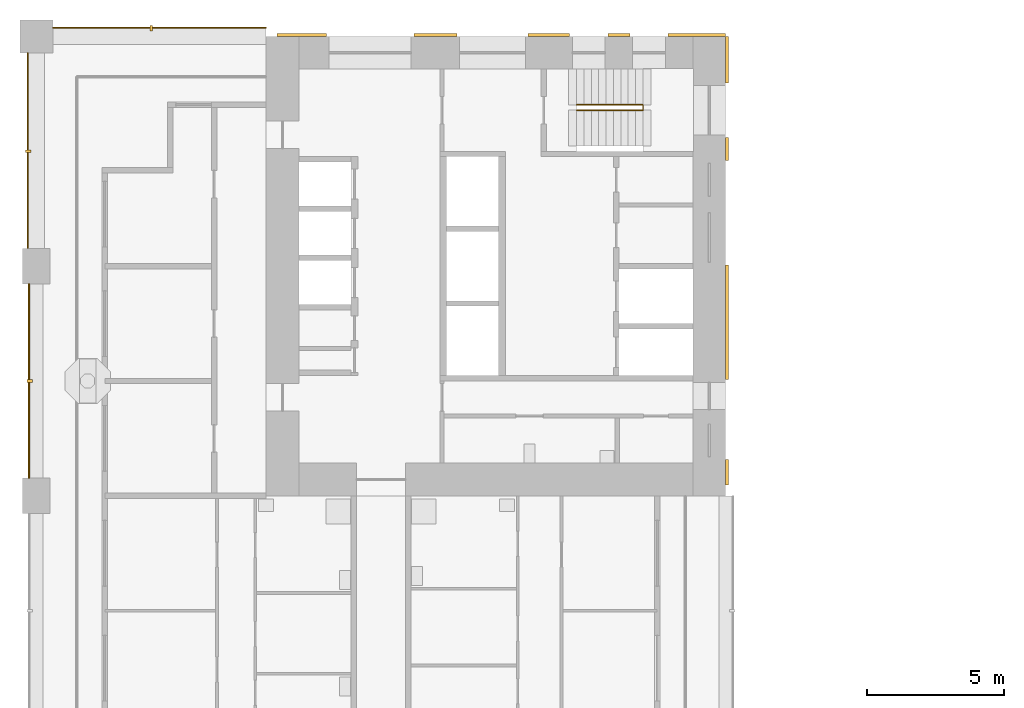
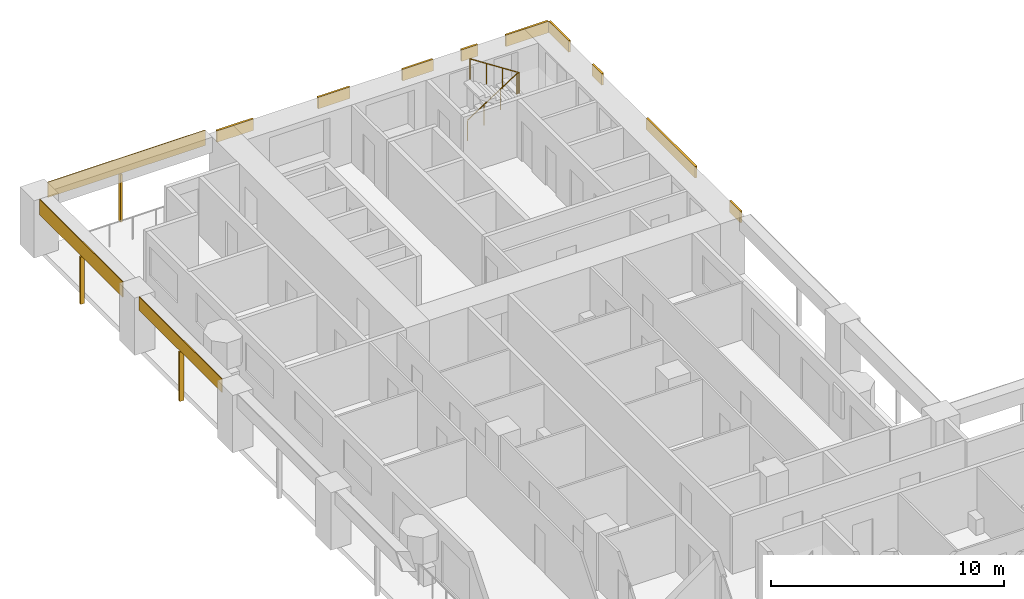
# One storey, part 14 of 18: 15 shading devices, 1 railing.
"""IFC4 building model written with IfcOpenShell, lengths in metres."""

from ifc_helpers import new_model, si_unit, direction, frame, origin, origin_2d, place, context, subcontext, project, spatial, rectangle, circle, extrude, material, layer, layer_set, material_profile, profile_set, type_object, element, save


model = new_model("IFC4")

# Units and contexts
model_context = context("Model", 3, precision=1e-05, world=origin(), true_north=direction((0.0, 1.0)))
body_context = subcontext(model_context, "Body", "Model", "MODEL_VIEW")
ifc_project = project(units=[si_unit("LENGTHUNIT", "METRE"), si_unit("AREAUNIT", "SQUARE_METRE"), si_unit("VOLUMEUNIT", "CUBIC_METRE"), si_unit("PLANEANGLEUNIT", "RADIAN"), si_unit("MASSUNIT", "GRAM", prefix="KILO")], contexts=[model_context])

# Site, building, storey
site_placement = place(None, origin())
site = spatial("IfcSite", under=ifc_project, at=site_placement, CompositionType="ELEMENT")
building_placement = place(site_placement, origin())
building = spatial("IfcBuilding", under=site, at=building_placement, Name="Vermilion Gate Residences", CompositionType="ELEMENT")
storey_placement = place(building_placement, frame((0.0, 0.0, 137.199951171875)))
storey = spatial("IfcBuildingStorey", under=building, at=storey_placement, Name="L35", CompositionType="ELEMENT", Elevation=137.199951171875)

# Shading devices
ifc_material_1 = material(Name="Perforated terracotta", Category="masonry")
ifc_layer_1 = layer(ifc_material_1, 0.0400390625)
ifc_layer_set_1 = layer_set([ifc_layer_1], Name="PERFORATED TERRACOTTA SCREEN 40")
shading_device_type_1 = type_object("IfcShadingDeviceType", Name="PERFORATED TERRACOTTA SCREEN 40", PredefinedType="SHUTTER", material=ifc_layer_set_1)
shading_device_1_placement = place(storey_placement, frame((4.5, 59.1201171875, 2.2001953125), z_axis=(0.0, 0.0, 1.0), x_axis=(-1.0, 0.0, 0.0)))
element("IfcShadingDevice", 1, at=shading_device_1_placement, inside=storey, type_object=shading_device_type_1, Name="SCREEN", PredefinedType="SHUTTER", context=body_context, shape_type="SweptSolid", body=[
    extrude(rectangle(XDim=7.800048828125, YDim=0.0400390625, at=origin_2d()), origin(), (0.0, 0.0, 1.0), 0.800048828125),
])
shading_device_2_placement = place(storey_placement, frame((-0.27001953125, 46.199951171875, 2.30029296875), z_axis=(0.0, 0.0, 1.0), x_axis=(0.0, -1.0, 0.0)))
element("IfcShadingDevice", 2, at=shading_device_2_placement, inside=storey, type_object=shading_device_type_1, Name="SCREEN", PredefinedType="SHUTTER", context=body_context, shape_type="SweptSolid", body=[
    extrude(rectangle(XDim=7.10009765625, YDim=0.0400390625, at=origin_2d()), origin(), (0.0, 0.0, 1.0), 0.699951171875),
])
shading_device_3_placement = place(storey_placement, frame((-0.320068359375, 54.625, 2.2001953125), z_axis=(0.0, 0.0, 1.0), x_axis=(0.0, -1.0, 0.0)))
element("IfcShadingDevice", 3, at=shading_device_3_placement, inside=storey, type_object=shading_device_type_1, Name="SCREEN", PredefinedType="SHUTTER", context=body_context, shape_type="SweptSolid", body=[
    extrude(rectangle(XDim=7.14990234375, YDim=0.0400390625, at=origin_2d()), origin(), (0.0, 0.0, 1.0), 0.800048828125),
])

# Railing
ifc_material_2 = material(Name="Steel S355", Category="steel")
railing_type = type_object("IfcRailingType", Name="STAIR GUARD 1100 STEEL", PredefinedType="GUARDRAIL", material=ifc_material_2)
railing_placement = place(storey_placement, frame((19.75, 56.300048828125, 0.175048828125)))
element("IfcRailing", 4, at=railing_placement, inside=storey, type_object=railing_type, Name="Stair well guard STB1-35", PredefinedType="GUARDRAIL", context=body_context, shape_type="SweptSolid", body=[
    extrude(circle(Radius=0.02392578125, at=origin_2d()), frame((0.0, 0.0, 1.076171875), z_axis=(0.839153699163, 0.0, 0.543894354798), x_axis=(0.0, 1.0, 0.0)), (0.0, 0.0, 1.0), 2.895751953125),
    extrude(circle(Radius=0.02392578125, at=origin_2d()), frame((2.429931640625, 0.0, 2.65087890625), z_axis=(0.0, -0.752405939678, 0.658699705433), x_axis=(1.0, 0.0, 0.0)), (0.0, 0.0, 1.0), 0.265869140625),
    extrude(circle(Radius=0.02392578125, at=origin_2d()), frame((2.429931640625, -0.199951171875, 2.826171875), z_axis=(-0.839153699163, 0.0, 0.543894354798), x_axis=(0.0, -1.0, 0.0)), (0.0, 0.0, 1.0), 2.895751953125),
    extrude(circle(Radius=0.02099609375, at=origin_2d()), origin(), (0.0, 0.0, 1.0), 1.052001953125),
    extrude(circle(Radius=0.02099609375, at=origin_2d()), frame((0.81005859375, 0.0, 0.52490234375)), (0.0, 0.0, 1.0), 1.052001953125),
    extrude(circle(Radius=0.02099609375, at=origin_2d()), frame((1.619873046875, 0.0, 1.050048828125)), (0.0, 0.0, 1.0), 1.052001953125),
    extrude(circle(Radius=0.02099609375, at=origin_2d()), frame((2.429931640625, 0.0, 1.574951171875)), (0.0, 0.0, 1.0), 1.052001953125),
    extrude(circle(Radius=0.02099609375, at=origin_2d()), frame((2.429931640625, -0.199951171875, 1.75)), (0.0, 0.0, 1.0), 1.052001953125),
    extrude(circle(Radius=0.02099609375, at=origin_2d()), frame((1.619873046875, -0.199951171875, 2.27490234375)), (0.0, 0.0, 1.0), 1.052001953125),
    extrude(circle(Radius=0.02099609375, at=origin_2d()), frame((0.81005859375, -0.199951171875, 2.800048828125)), (0.0, 0.0, 1.0), 1.052001953125),
    extrude(circle(Radius=0.02099609375, at=origin_2d()), frame((0.0, -0.199951171875, 3.324951171875)), (0.0, 0.0, 1.0), 1.052001953125),
])

# Shading devices
ifc_material_3 = material(Name="Extruded terracotta", Category="masonry")
ifc_material_profile = material_profile(ifc_material_3, rectangle(XDim=0.199951171875, YDim=0.10009765625, at=origin_2d()), Name="BAGUETTE 100 X 200")
ifc_profile_set = profile_set([ifc_material_profile], Name="Extruded terracotta")
shading_device_type_2 = type_object("IfcShadingDeviceType", Name="TERRACOTTA BAGUETTE 100 X 200", PredefinedType="JALOUSIE", material=ifc_profile_set)
shading_device_4_placement = place(storey_placement, frame((4.199951171875, 59.10009765625, -0.280029296875), z_axis=(0.0, 0.0, 1.0), x_axis=(0.0, -1.0, 0.0)))
element("IfcShadingDevice", 5, at=shading_device_4_placement, inside=storey, type_object=shading_device_type_2, Name="BAGUETTE", PredefinedType="JALOUSIE", context=body_context, shape_type="SweptSolid", body=[
    extrude(rectangle(XDim=0.199951171875, YDim=0.10009765625, at=origin_2d()), origin(), (0.0, 0.0, 1.0), 2.47998046875),
])
shading_device_5_placement = place(storey_placement, frame((-0.25, 46.199951171875, -0.280029296875), z_axis=(0.0, 0.0, 1.0), x_axis=(1.0, 0.0, 0.0)))
element("IfcShadingDevice", 6, at=shading_device_5_placement, inside=storey, type_object=shading_device_type_2, Name="BAGUETTE", PredefinedType="JALOUSIE", context=body_context, shape_type="SweptSolid", body=[
    extrude(rectangle(XDim=0.199951171875, YDim=0.10009765625, at=origin_2d()), origin(), (0.0, 0.0, 1.0), 2.580078125),
])
shading_device_6_placement = place(storey_placement, frame((-0.300048828125, 54.60009765625, -0.280029296875), z_axis=(0.0, 0.0, 1.0), x_axis=(1.0, 0.0, 0.0)))
element("IfcShadingDevice", 7, at=shading_device_6_placement, inside=storey, type_object=shading_device_type_2, Name="BAGUETTE", PredefinedType="JALOUSIE", context=body_context, shape_type="SweptSolid", body=[
    extrude(rectangle(XDim=0.199951171875, YDim=0.10009765625, at=origin_2d()), origin(), (0.0, 0.0, 1.0), 2.47998046875),
])
ifc_material_4 = material(Name="Extruded terracotta", Category="masonry")
ifc_layer_2 = layer(ifc_material_4, 0.10009765625)
ifc_layer_set_2 = layer_set([ifc_layer_2], Name="TERRACOTTA SPANDREL BAND 600 X 100")
shading_device_type_3 = type_object("IfcShadingDeviceType", Name="TERRACOTTA SPANDREL BAND 600 X 100", PredefinedType="USERDEFINED", material=ifc_layer_set_2)
shading_device_7_placement = place(storey_placement, frame((9.702392578125, 58.85009765625, 2.39990234375), z_axis=(0.0, 0.0, 1.0), x_axis=(1.0, 0.0, 0.0)))
element("IfcShadingDevice", 8, at=shading_device_7_placement, inside=storey, type_object=shading_device_type_3, Name="SPANDREL BAND", ObjectType="BAND", PredefinedType="USERDEFINED", context=body_context, shape_type="SweptSolid", body=[
    extrude(rectangle(XDim=1.804931640625, YDim=0.10009765625, at=origin_2d()), origin(), (0.0, 0.0, 1.0), 0.60009765625),
])
shading_device_8_placement = place(storey_placement, frame((14.590087890625, 58.85009765625, 2.39990234375), z_axis=(0.0, 0.0, 1.0), x_axis=(1.0, 0.0, 0.0)))
element("IfcShadingDevice", 9, at=shading_device_8_placement, inside=storey, type_object=shading_device_type_3, Name="SPANDREL BAND", ObjectType="BAND", PredefinedType="USERDEFINED", context=body_context, shape_type="SweptSolid", body=[
    extrude(rectangle(XDim=1.570068359375, YDim=0.10009765625, at=origin_2d()), origin(), (0.0, 0.0, 1.0), 0.60009765625),
])
shading_device_9_placement = place(storey_placement, frame((18.734130859375, 58.85009765625, 2.39990234375), z_axis=(0.0, 0.0, 1.0), x_axis=(1.0, 0.0, 0.0)))
element("IfcShadingDevice", 10, at=shading_device_9_placement, inside=storey, type_object=shading_device_type_3, Name="SPANDREL BAND", ObjectType="BAND", PredefinedType="USERDEFINED", context=body_context, shape_type="SweptSolid", body=[
    extrude(rectangle(XDim=1.518310546875, YDim=0.10009765625, at=origin_2d()), origin(), (0.0, 0.0, 1.0), 0.60009765625),
])
shading_device_10_placement = place(storey_placement, frame((21.294921875, 58.85009765625, 2.39990234375), z_axis=(0.0, 0.0, 1.0), x_axis=(1.0, 0.0, 0.0)))
element("IfcShadingDevice", 11, at=shading_device_10_placement, inside=storey, type_object=shading_device_type_3, Name="SPANDREL BAND", ObjectType="BAND", PredefinedType="USERDEFINED", context=body_context, shape_type="SweptSolid", body=[
    extrude(rectangle(XDim=0.803466796875, YDim=0.10009765625, at=origin_2d()), origin(), (0.0, 0.0, 1.0), 0.60009765625),
])
shading_device_11_placement = place(storey_placement, frame((24.1484375, 58.85009765625, 2.39990234375), z_axis=(0.0, 0.0, 1.0), x_axis=(1.0, 0.0, 0.0)))
element("IfcShadingDevice", 12, at=shading_device_11_placement, inside=storey, type_object=shading_device_type_3, Name="SPANDREL BAND", ObjectType="BAND", PredefinedType="USERDEFINED", context=body_context, shape_type="SweptSolid", body=[
    extrude(rectangle(XDim=2.103271484375, YDim=0.10009765625, at=origin_2d()), origin(), (0.0, 0.0, 1.0), 0.60009765625),
])
shading_device_12_placement = place(storey_placement, frame((25.25, 42.862548828125, 2.39990234375), z_axis=(0.0, 0.0, 1.0), x_axis=(0.0, 1.0, 0.0)))
element("IfcShadingDevice", 13, at=shading_device_12_placement, inside=storey, type_object=shading_device_type_3, Name="SPANDREL BAND", ObjectType="BAND", PredefinedType="USERDEFINED", context=body_context, shape_type="SweptSolid", body=[
    extrude(rectangle(XDim=0.925048828125, YDim=0.10009765625, at=origin_2d()), origin(), (0.0, 0.0, 1.0), 0.60009765625),
])
shading_device_13_placement = place(storey_placement, frame((25.25, 48.35009765625, 2.39990234375), z_axis=(0.0, 0.0, 1.0), x_axis=(0.0, 1.0, 0.0)))
element("IfcShadingDevice", 14, at=shading_device_13_placement, inside=storey, type_object=shading_device_type_3, Name="SPANDREL BAND", ObjectType="BAND", PredefinedType="USERDEFINED", context=body_context, shape_type="SweptSolid", body=[
    extrude(rectangle(XDim=4.199951171875, YDim=0.10009765625, at=origin_2d()), origin(), (0.0, 0.0, 1.0), 0.60009765625),
])
shading_device_14_placement = place(storey_placement, frame((25.25, 54.67822265625, 2.39990234375), z_axis=(0.0, 0.0, 1.0), x_axis=(0.0, 1.0, 0.0)))
element("IfcShadingDevice", 15, at=shading_device_14_placement, inside=storey, type_object=shading_device_type_3, Name="SPANDREL BAND", ObjectType="BAND", PredefinedType="USERDEFINED", context=body_context, shape_type="SweptSolid", body=[
    extrude(rectangle(XDim=0.84375, YDim=0.10009765625, at=origin_2d()), origin(), (0.0, 0.0, 1.0), 0.60009765625),
])
shading_device_15_placement = place(storey_placement, frame((25.25, 57.949951171875, 2.39990234375), z_axis=(0.0, 0.0, 1.0), x_axis=(0.0, 1.0, 0.0)))
element("IfcShadingDevice", 16, at=shading_device_15_placement, inside=storey, type_object=shading_device_type_3, Name="SPANDREL BAND", ObjectType="BAND", PredefinedType="USERDEFINED", context=body_context, shape_type="SweptSolid", body=[
    extrude(rectangle(XDim=1.699951171875, YDim=0.10009765625, at=origin_2d()), origin(), (0.0, 0.0, 1.0), 0.60009765625),
])

save(model, "model.ifc")
